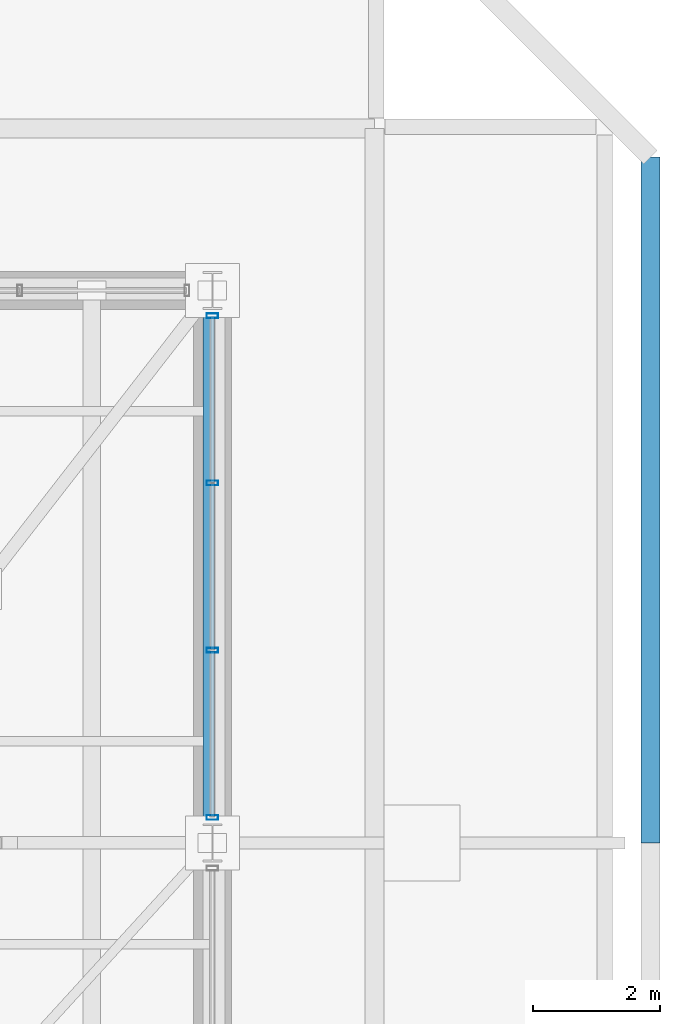
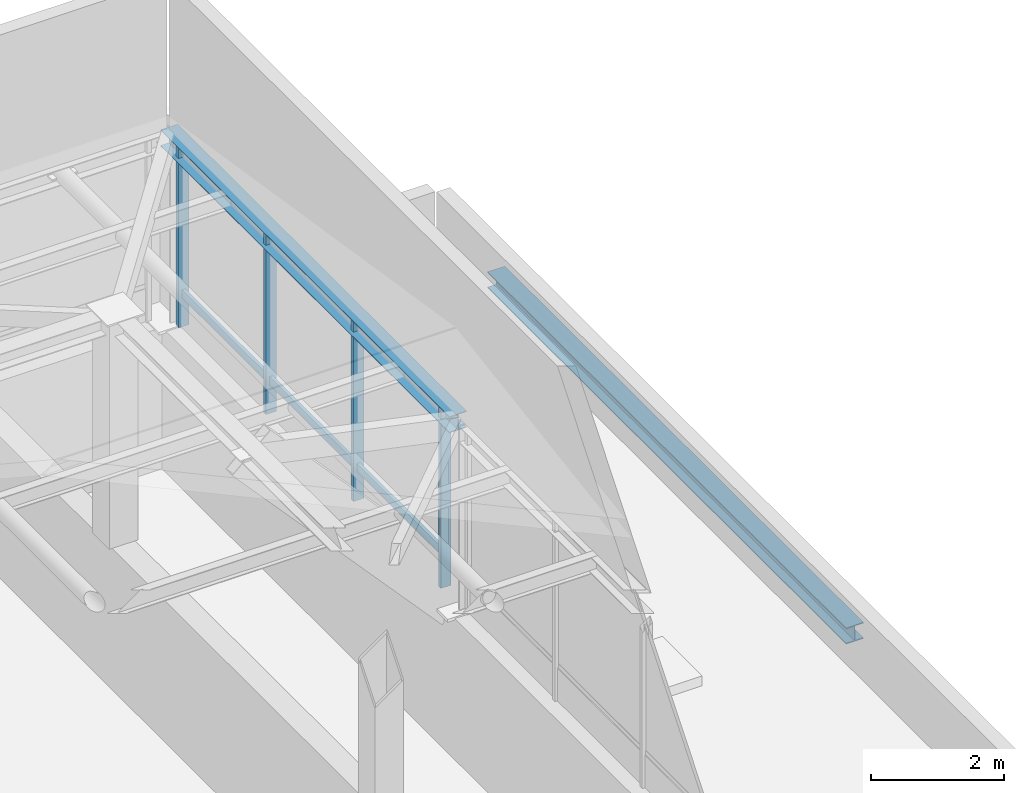
# One storey, part 18 of 22: 7 members, 2 beams, 1 element without a shape of its own.
"""IFC4 building model written with IfcOpenShell, lengths in metres."""

from ifc_helpers import new_model, si_unit, direction, frame, origin, origin_2d, place, context, subcontext, project, spatial, hollow_rectangle, i_section, extrude, material, layer, layer_set, material_profile, profile_set, type_object, element, aggregate, save


model = new_model("IFC4")

# Units and contexts
model_context = context("Model", 3, precision=1e-05, world=origin(), true_north=direction((0.0, 1.0)))
body_context = subcontext(model_context, "Body", "Model", "MODEL_VIEW")
ifc_project = project(units=[si_unit("LENGTHUNIT", "METRE"), si_unit("AREAUNIT", "SQUARE_METRE"), si_unit("VOLUMEUNIT", "CUBIC_METRE"), si_unit("PLANEANGLEUNIT", "RADIAN"), si_unit("MASSUNIT", "GRAM", prefix="KILO")], contexts=[model_context])

# Site, building, storey
site_placement = place(None, origin())
site = spatial("IfcSite", under=ifc_project, at=site_placement, CompositionType="ELEMENT")
building_placement = place(site_placement, origin())
building = spatial("IfcBuilding", under=site, at=building_placement, Name="Belovzor Exchange Tower", CompositionType="ELEMENT")
storey_placement = place(building_placement, frame((0.0, 0.0, 378.60009765625)))
storey = spatial("IfcBuildingStorey", under=building, at=storey_placement, Name="RF", CompositionType="ELEMENT", Elevation=378.60009765625)

# Beams
ifc_material_1 = material(Name="Steel S355", Category="steel")
ifc_material_profile_1 = material_profile(ifc_material_1, i_section(OverallWidth=0.300048828125, OverallDepth=0.300048828125, WebThickness=0.010986328125, FlangeThickness=0.01904296875, at=origin_2d()))
ifc_profile_set_1 = profile_set([ifc_material_profile_1], Name="Steel S355")
beam_type_1 = type_object("IfcBeamType", Name="Crown Plant Primary Beam HEB 300", PredefinedType="BEAM", material=ifc_profile_set_1)
beam_1_placement = place(storey_placement, frame((44.39990234375, 28.800048828125, -0.4501953125), z_axis=(0.0, 1.0, 0.0), x_axis=(-1.0, 0.0, 0.0)))
element("IfcBeam", 1, at=beam_1_placement, inside=storey, type_object=beam_type_1, Name="FG-CR Crown Plant Primary Beam HEB 300", PredefinedType="BEAM", context=body_context, shape_type="SweptSolid", body=[
    extrude(i_section(OverallWidth=0.300048828125, OverallDepth=0.300048828125, WebThickness=0.010986328125, FlangeThickness=0.01904296875, at=origin_2d()), origin(), (0.0, 0.0, 1.0), 10.800048828125),
])
ifc_material_2 = material(Name="Steel S355", Category="steel")
ifc_material_profile_2 = material_profile(ifc_material_2, i_section(OverallWidth=0.300048828125, OverallDepth=0.300048828125, WebThickness=0.008544921875, FlangeThickness=0.013916015625, at=origin_2d()))
ifc_profile_set_2 = profile_set([ifc_material_profile_2], Name="Steel S355")
beam_type_2 = type_object("IfcBeamType", Name="Crown Ring & Trim Beam HEA 300", PredefinedType="BEAM", material=ifc_profile_set_2)
beam_2_placement = place(storey_placement, frame((37.5, 28.800048828125, 5.849853515625), z_axis=(0.0, 1.0, 0.0), x_axis=(-1.0, 0.0, 0.0)))
element("IfcBeam", 2, at=beam_2_placement, inside=storey, type_object=beam_type_2, Name="CB-CR Crown Ring & Trim Beam HEA 300", PredefinedType="BEAM", context=body_context, shape_type="SweptSolid", body=[
    extrude(i_section(OverallWidth=0.300048828125, OverallDepth=0.300048828125, WebThickness=0.008544921875, FlangeThickness=0.013916015625, at=origin_2d()), origin(), (0.0, 0.0, 1.0), 8.699951171875),
])

# Curtain wall, members
ifc_material_3 = material(Name="Anodised Aluminium Framing", Category="aluminium")
ifc_layer = layer(ifc_material_3, 0.169921875)
ifc_layer_set = layer_set([ifc_layer], Name="Anodised Aluminium Framing")
curtain_wall_type = type_object("IfcCurtainWallType", Name="Stepped Crown Faceted Lantern Curtain Wall", PredefinedType="NOTDEFINED", material=ifc_layer_set)
curtain_wall_placement = place(storey_placement, origin())
curtain_wall = element("IfcCurtainWall", 3, at=curtain_wall_placement, inside=storey, type_object=curtain_wall_type, Name="CW6 Stepped Crown Faceted Lantern Curtain Wall RF", PredefinedType="NOTDEFINED")
ifc_material_4 = material(Name="Steel S355", Category="steel")
ifc_material_profile_3 = material_profile(ifc_material_4, hollow_rectangle(XDim=0.074951171875, YDim=0.179931640625, WallThickness=0.0048828125, at=origin_2d()))
ifc_profile_set_3 = profile_set([ifc_material_profile_3], Name="Steel S355")
member_type_1 = type_object("IfcMemberType", Name="Thermally Broken Curtain Wall Mullion 180x75", PredefinedType="MULLION", material=ifc_profile_set_3)
member_1_placement = place(storey_placement, frame((37.5, 37.10009765625, 2.599853515625), z_axis=(0.0, 0.0, 1.0), x_axis=(0.0, -1.0, 0.0)))
member_1 = element("IfcMember", 4, at=member_1_placement, type_object=member_type_1, Name="CW-M180 Curtain Wall Mullion 1", PredefinedType="MULLION", context=body_context, shape_type="SweptSolid", body=[
    extrude(hollow_rectangle(XDim=0.074951171875, YDim=0.179931640625, WallThickness=0.0048828125, at=origin_2d()), origin(), (0.0, 0.0, 1.0), 3.35009765625),
])
member_2_placement = place(storey_placement, frame((37.5, 34.467041015625, 2.599853515625), z_axis=(0.0, 0.0, 1.0), x_axis=(0.0, -1.0, 0.0)))
member_2 = element("IfcMember", 5, at=member_2_placement, type_object=member_type_1, Name="CW-M180 Curtain Wall Mullion 2", PredefinedType="MULLION", context=body_context, shape_type="SweptSolid", body=[
    extrude(hollow_rectangle(XDim=0.074951171875, YDim=0.179931640625, WallThickness=0.0048828125, at=origin_2d()), origin(), (0.0, 0.0, 1.0), 3.35009765625),
])
member_3_placement = place(storey_placement, frame((37.5, 31.8330078125, 2.599853515625), z_axis=(0.0, 0.0, 1.0), x_axis=(0.0, -1.0, 0.0)))
member_3 = element("IfcMember", 6, at=member_3_placement, type_object=member_type_1, Name="CW-M180 Curtain Wall Mullion 3", PredefinedType="MULLION", context=body_context, shape_type="SweptSolid", body=[
    extrude(hollow_rectangle(XDim=0.074951171875, YDim=0.179931640625, WallThickness=0.0048828125, at=origin_2d()), origin(), (0.0, 0.0, 1.0), 3.35009765625),
])
member_4_placement = place(storey_placement, frame((37.5, 29.199951171875, 2.599853515625), z_axis=(0.0, 0.0, 1.0), x_axis=(0.0, -1.0, 0.0)))
member_4 = element("IfcMember", 7, at=member_4_placement, type_object=member_type_1, Name="CW-M180 Curtain Wall Mullion 4", PredefinedType="MULLION", context=body_context, shape_type="SweptSolid", body=[
    extrude(hollow_rectangle(XDim=0.074951171875, YDim=0.179931640625, WallThickness=0.0048828125, at=origin_2d()), origin(), (0.0, 0.0, 1.0), 3.35009765625),
])
ifc_material_5 = material(Name="Steel S355", Category="steel")
ifc_material_profile_4 = material_profile(ifc_material_5, hollow_rectangle(XDim=0.06005859375, YDim=0.14990234375, WallThickness=0.00390625, at=origin_2d()))
ifc_profile_set_4 = profile_set([ifc_material_profile_4], Name="Steel S355")
member_type_2 = type_object("IfcMemberType", Name="Thermally Broken Curtain Wall Transom 150x60", PredefinedType="USERDEFINED", material=ifc_profile_set_4)
member_5_placement = place(storey_placement, frame((37.5, 37.092041015625, 3.202880859375), z_axis=(0.0, -1.0, 0.0), x_axis=(1.0, 0.0, 0.0)))
member_5 = element("IfcMember", 8, at=member_5_placement, type_object=member_type_2, Name="CW-T150 Curtain Wall Transom 1", ObjectType="TRANSOM", PredefinedType="USERDEFINED", context=body_context, shape_type="SweptSolid", body=[
    extrude(hollow_rectangle(XDim=0.06005859375, YDim=0.14990234375, WallThickness=0.00390625, at=origin_2d()), origin(), (0.0, 0.0, 1.0), 2.616943359375),
])
member_6_placement = place(storey_placement, frame((37.5, 34.458984375, 3.202880859375), z_axis=(0.0, -1.0, 0.0), x_axis=(1.0, 0.0, 0.0)))
member_6 = element("IfcMember", 9, at=member_6_placement, type_object=member_type_2, Name="CW-T150 Curtain Wall Transom 2", ObjectType="TRANSOM", PredefinedType="USERDEFINED", context=body_context, shape_type="SweptSolid", body=[
    extrude(hollow_rectangle(XDim=0.06005859375, YDim=0.14990234375, WallThickness=0.00390625, at=origin_2d()), origin(), (0.0, 0.0, 1.0), 2.617919921875),
])
member_7_placement = place(storey_placement, frame((37.5, 31.824951171875, 3.202880859375), z_axis=(0.0, -1.0, 0.0), x_axis=(1.0, 0.0, 0.0)))
member_7 = element("IfcMember", 10, at=member_7_placement, type_object=member_type_2, Name="CW-T150 Curtain Wall Transom 3", ObjectType="TRANSOM", PredefinedType="USERDEFINED", context=body_context, shape_type="SweptSolid", body=[
    extrude(hollow_rectangle(XDim=0.06005859375, YDim=0.14990234375, WallThickness=0.00390625, at=origin_2d()), origin(), (0.0, 0.0, 1.0), 2.616943359375),
])
aggregate(curtain_wall, [member_1, member_2, member_3, member_4, member_5, member_6, member_7])

save(model, "model.ifc")
